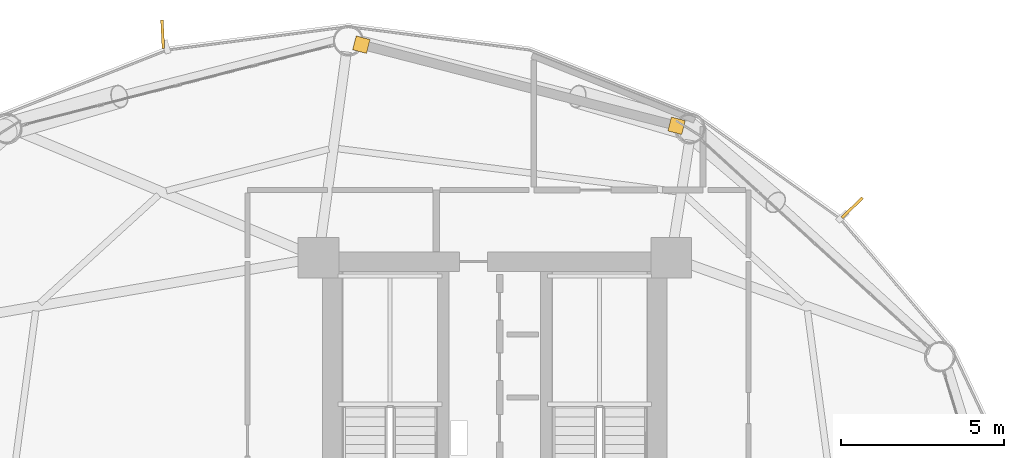
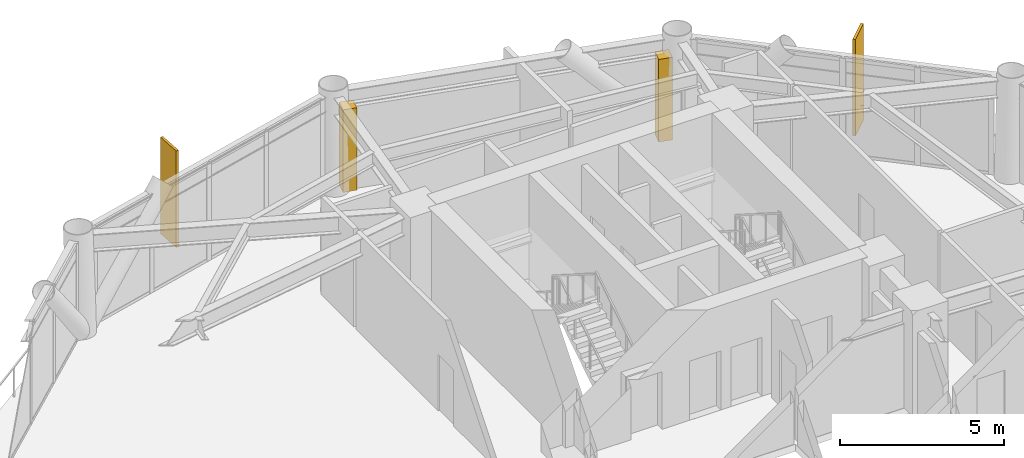
# One storey, part 26 of 26: 2 coverings, 2 shading devices.
"""IFC4 building model written with IfcOpenShell, lengths in metres."""

from ifc_helpers import new_model, si_unit, direction, frame, origin, origin_2d, place, context, subcontext, project, spatial, rectangle, extrude, source, transform, mapped, material, layer, layer_set, type_object, type_shapes, element, save


model = new_model("IFC4")

# Units and contexts
model_context = context("Model", 3, precision=1e-05, world=origin(), true_north=direction((0.0, 1.0)))
body_context = subcontext(model_context, "Body", "Model", "MODEL_VIEW")
ifc_project = project(units=[si_unit("LENGTHUNIT", "METRE"), si_unit("AREAUNIT", "SQUARE_METRE"), si_unit("VOLUMEUNIT", "CUBIC_METRE"), si_unit("PLANEANGLEUNIT", "RADIAN"), si_unit("MASSUNIT", "GRAM", prefix="KILO")], contexts=[model_context])

# Site, building, storey
site_placement = place(None, origin())
site = spatial("IfcSite", under=ifc_project, at=site_placement, CompositionType="ELEMENT")
building_placement = place(site_placement, origin())
building = spatial("IfcBuilding", under=site, at=building_placement, Name="Varnakorn Sky Granary", CompositionType="ELEMENT")
storey_placement = place(building_placement, frame((0.0, 0.0, 51.0)))
storey = spatial("IfcBuildingStorey", under=building, at=storey_placement, Name="L12", CompositionType="ELEMENT", Elevation=51.0)

# Shading devices
ifc_material = material(Name="Anodised Bronze Aluminium Alloy 6063-T6", Category="aluminium")
shading_device_type = type_object("IfcShadingDeviceType", Name="SH-FIN-01", PredefinedType="USERDEFINED", material=ifc_material)
shared_shape_1 = source(origin(), body_context, "Body", "SweptSolid", [
    extrude(rectangle(XDim=0.0849609375, YDim=0.8798828125, at=origin_2d()), origin(), (0.0, 0.0, 1.0), 3.60009765625),
])
type_shapes(shading_device_type, [shared_shape_1])
for number, where, z_axis, x_axis, name in (
    (1, (13.986083984375, 14.155517578125, -0.0400390625), (0.0, 0.0, 1.0), (-0.692940750718, 0.720994532569, 0.0), "Bronze Solar-Tracking Vertical Blade FIN L12-02"),
    (2, (-7.208984375, 19.4873046875, -0.0400390625), (0.0, 0.0, 1.0), (-0.998756287386, -0.049858584084, 0.0), "Bronze Solar-Tracking Vertical Blade FIN L12-04"),
):
    element("IfcShadingDevice", number, at=place(storey_placement, frame(where, z_axis=z_axis, x_axis=x_axis)), inside=storey, type_object=shading_device_type, Name=name, ObjectType="FIN", PredefinedType="USERDEFINED", context=body_context, shape_type="MappedRepresentation", body=[
        mapped(shared_shape_1, transform((0.0, 0.0, 0.0), x_axis=(1.0, 0.0, 0.0), y_axis=(0.0, 1.0, 0.0), z_axis=(0.0, 0.0, 1.0), scale=1.0)),
    ])

# Coverings
ifc_layer = layer(ifc_material, 0.050048828125, Name="Anodised Bronze Aluminium Alloy 6063-T6")
ifc_layer_set = layer_set([ifc_layer], Name="Anodised Bronze Aluminium Alloy 6063-T6")
covering_type = type_object("IfcCoveringType", Name="CV-CLAD-50", PredefinedType="CLADDING", material=ifc_layer_set)
shared_shape_2 = source(origin(), body_context, "Body", "SweptSolid", [
    extrude(rectangle(XDim=0.43994140625, YDim=0.43994140625, at=origin_2d()), origin(), (0.0, 0.0, 1.0), 3.080078125),
])
type_shapes(covering_type, [shared_shape_2])
for number, where, z_axis, x_axis, name in (
    (3, (-1.10107421875, 19.17041015625, -0.02001953125), (0.0, 0.0, 1.0), (0.968452814643, -0.249197002009, 0.0), "Bronze Corner Pilaster Closure L12-P03-A"),
    (4, (8.58740234375, 16.6767578125, -0.02001953125), (0.0, 0.0, 1.0), (0.968452814643, -0.249197002009, 0.0), "Bronze Corner Pilaster Closure L12-P03-B"),
):
    element("IfcCovering", number, at=place(storey_placement, frame(where, z_axis=z_axis, x_axis=x_axis)), inside=storey, type_object=covering_type, Name=name, PredefinedType="CLADDING", context=body_context, shape_type="MappedRepresentation", body=[
        mapped(shared_shape_2, transform((0.0, 0.0, 0.0), x_axis=(1.0, 0.0, 0.0), y_axis=(0.0, 1.0, 0.0), z_axis=(0.0, 0.0, 1.0), scale=1.0)),
    ])

save(model, "model.ifc")
